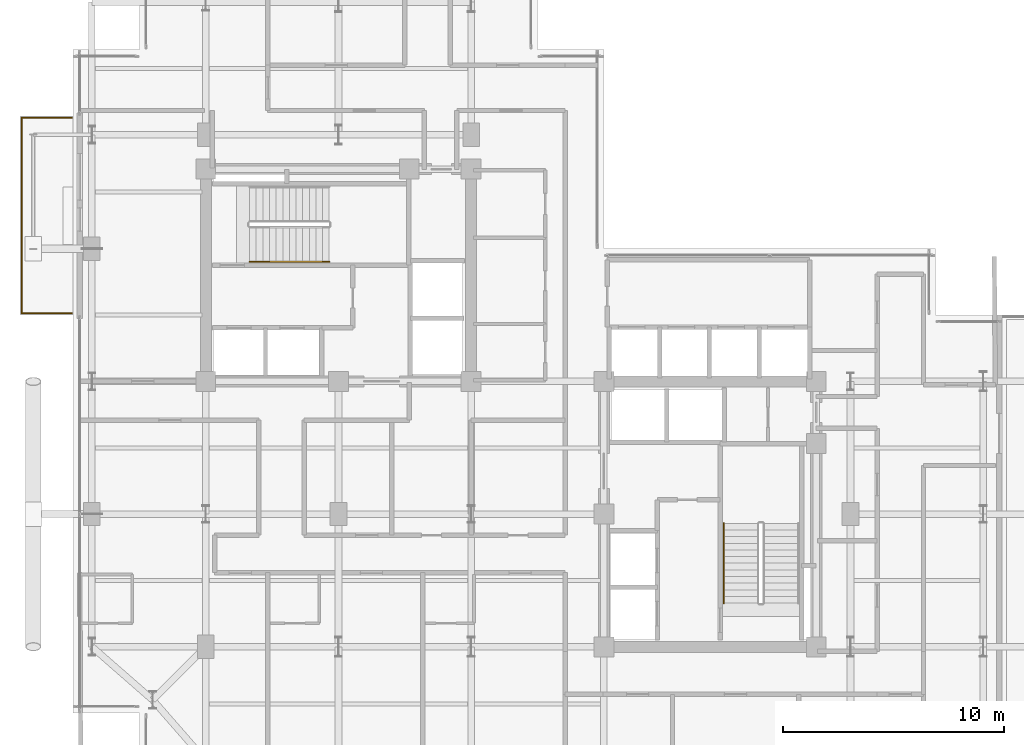
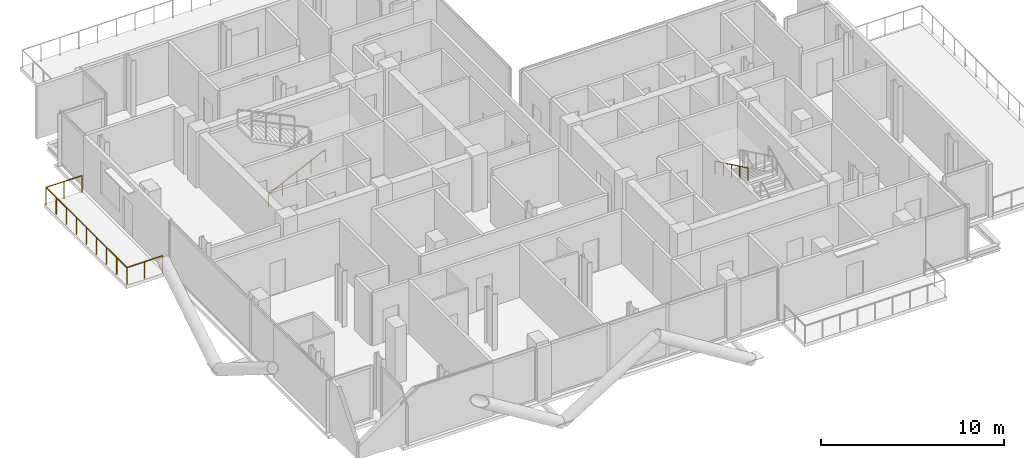
# One storey, part 25 of 28: 3 railings.
"""IFC4 building model written with IfcOpenShell, lengths in metres."""

from ifc_helpers import new_model, si_unit, direction, frame, origin, origin_2d, place, context, subcontext, project, spatial, rectangle, extrude, material, type_object, element, save


model = new_model("IFC4")

# Units and contexts
model_context = context("Model", 3, precision=1e-05, world=origin(), true_north=direction((0.0, 1.0)))
body_context = subcontext(model_context, "Body", "Model", "MODEL_VIEW")
ifc_project = project(units=[si_unit("LENGTHUNIT", "METRE"), si_unit("AREAUNIT", "SQUARE_METRE"), si_unit("VOLUMEUNIT", "CUBIC_METRE"), si_unit("PLANEANGLEUNIT", "RADIAN"), si_unit("MASSUNIT", "GRAM", prefix="KILO"), si_unit("THERMODYNAMICTEMPERATUREUNIT", "KELVIN"), si_unit("POWERUNIT", "WATT")], contexts=[model_context])

# Site, building, storey
site_placement = place(None, origin())
site = spatial("IfcSite", under=ifc_project, at=site_placement, CompositionType="ELEMENT")
building_placement = place(site_placement, origin())
building = spatial("IfcBuilding", under=site, at=building_placement, Name="Svarakhadi Broadcast Tower", CompositionType="ELEMENT")
storey_placement = place(building_placement, frame((0.0, 0.0, 169.199951171875)))
storey = spatial("IfcBuildingStorey", under=building, at=storey_placement, Name="L41", CompositionType="ELEMENT", Elevation=169.199951171875)

# Railings
ifc_material_1 = material(Name="Laminated Structural SentryGlas Balustrade 25.5 mm", Category="glass")
railing_type_1 = type_object("IfcRailingType", Name="Guard_Balcony_GR01", PredefinedType="BALUSTRADE", material=ifc_material_1)
railing_1_placement = place(storey_placement, frame((-0.06005859375, 21.080078125, 0.0)))
element("IfcRailing", 1, at=railing_1_placement, inside=storey, type_object=railing_type_1, Name="L41 West Tree Balcony Guard GR-05", PredefinedType="BALUSTRADE", context=body_context, shape_type="SweptSolid", body=[
    extrude(rectangle(XDim=0.048095703125, YDim=0.048095703125, at=origin_2d()), frame((0.0, 0.0, 1.1259765625), z_axis=(-1.0, 0.0, 0.0), x_axis=(0.0, -1.0, 0.0)), (0.0, 0.0, 1.0), 2.260009765625),
    extrude(rectangle(XDim=0.048095703125, YDim=0.048095703125, at=origin_2d()), frame((-2.260009765625, 0.0, 1.1259765625), z_axis=(0.0, 1.0, 0.0), x_axis=(-1.0, 0.0, 0.0)), (0.0, 0.0, 1.0), 8.83984375),
    extrude(rectangle(XDim=0.048095703125, YDim=0.048095703125, at=origin_2d()), frame((-2.260009765625, 8.83984375, 1.1259765625), z_axis=(1.0, 0.0, 0.0), x_axis=(0.0, 1.0, 0.0)), (0.0, 0.0, 1.0), 2.260009765625),
    extrude(rectangle(XDim=0.0419921875, YDim=0.0419921875, at=origin_2d()), origin(), (0.0, 0.0, 1.0), 1.101806640625),
    extrude(rectangle(XDim=0.0419921875, YDim=0.0419921875, at=origin_2d()), frame((-1.1298828125, 0.0, 0.0)), (0.0, 0.0, 1.0), 1.101806640625),
    extrude(rectangle(XDim=0.0419921875, YDim=0.0419921875, at=origin_2d()), frame((-2.260009765625, 0.0, 0.0)), (0.0, 0.0, 1.0), 1.101806640625),
    extrude(rectangle(XDim=0.0419921875, YDim=0.0419921875, at=origin_2d()), frame((-2.260009765625, 1.10498046875, 0.0)), (0.0, 0.0, 1.0), 1.101806640625),
    extrude(rectangle(XDim=0.0419921875, YDim=0.0419921875, at=origin_2d()), frame((-2.260009765625, 2.2099609375, 0.0)), (0.0, 0.0, 1.0), 1.101806640625),
    extrude(rectangle(XDim=0.0419921875, YDim=0.0419921875, at=origin_2d()), frame((-2.260009765625, 3.31494140625, 0.0)), (0.0, 0.0, 1.0), 1.101806640625),
    extrude(rectangle(XDim=0.0419921875, YDim=0.0419921875, at=origin_2d()), frame((-2.260009765625, 4.419921875, 0.0)), (0.0, 0.0, 1.0), 1.101806640625),
    extrude(rectangle(XDim=0.0419921875, YDim=0.0419921875, at=origin_2d()), frame((-2.260009765625, 5.52490234375, 0.0)), (0.0, 0.0, 1.0), 1.101806640625),
    extrude(rectangle(XDim=0.0419921875, YDim=0.0419921875, at=origin_2d()), frame((-2.260009765625, 6.6298828125, 0.0)), (0.0, 0.0, 1.0), 1.101806640625),
    extrude(rectangle(XDim=0.0419921875, YDim=0.0419921875, at=origin_2d()), frame((-2.260009765625, 7.73486328125, 0.0)), (0.0, 0.0, 1.0), 1.101806640625),
    extrude(rectangle(XDim=0.0419921875, YDim=0.0419921875, at=origin_2d()), frame((-2.260009765625, 8.83984375, 0.0)), (0.0, 0.0, 1.0), 1.101806640625),
    extrude(rectangle(XDim=0.0419921875, YDim=0.0419921875, at=origin_2d()), frame((-1.1298828125, 8.83984375, 0.0)), (0.0, 0.0, 1.0), 1.101806640625),
    extrude(rectangle(XDim=0.0419921875, YDim=0.0419921875, at=origin_2d()), frame((0.0, 8.83984375, 0.0)), (0.0, 0.0, 1.0), 1.101806640625),
])
ifc_material_2 = material(Name="Anodised Bronze Aluminium AA 6063-T6", Category="aluminium")
railing_type_2 = type_object("IfcRailingType", Name="Handrail_Stair_HR01", PredefinedType="HANDRAIL", material=ifc_material_2)
railing_2_placement = place(storey_placement, frame((7.97998046875, 23.409912109375, 0.144287109375)))
element("IfcRailing", 2, at=railing_2_placement, inside=storey, type_object=railing_type_2, Name="L41 ST-01 stair handrail 1", PredefinedType="HANDRAIL", context=body_context, shape_type="SweptSolid", body=[
    extrude(rectangle(XDim=0.048095703125, YDim=0.048095703125, at=origin_2d()), frame((0.0, 0.0, 0.8759765625), z_axis=(0.901262522062, 0.0, 0.433273431364), x_axis=(0.0, 1.0, 0.0)), (0.0, 0.0, 1.0), 3.994384765625),
    extrude(rectangle(XDim=0.0419921875, YDim=0.0419921875, at=origin_2d()), origin(), (0.0, 0.0, 1.0), 0.851806640625),
    extrude(rectangle(XDim=0.0419921875, YDim=0.0419921875, at=origin_2d()), frame((0.89990234375, 0.0, 0.4326171875)), (0.0, 0.0, 1.0), 0.851806640625),
    extrude(rectangle(XDim=0.0419921875, YDim=0.0419921875, at=origin_2d()), frame((1.800048828125, 0.0, 0.865234375)), (0.0, 0.0, 1.0), 0.851806640625),
    extrude(rectangle(XDim=0.0419921875, YDim=0.0419921875, at=origin_2d()), frame((2.7001953125, 0.0, 1.298095703125)), (0.0, 0.0, 1.0), 0.851806640625),
    extrude(rectangle(XDim=0.0419921875, YDim=0.0419921875, at=origin_2d()), frame((3.60009765625, 0.0, 1.730712890625)), (0.0, 0.0, 1.0), 0.851806640625),
])
railing_3_placement = place(storey_placement, frame((29.409912109375, 11.580078125, 2.019287109375)))
element("IfcRailing", 3, at=railing_3_placement, inside=storey, type_object=railing_type_2, Name="L41 ST-02 stair handrail 2", PredefinedType="HANDRAIL", context=body_context, shape_type="SweptSolid", body=[
    extrude(rectangle(XDim=0.048095703125, YDim=0.048095703125, at=origin_2d()), frame((0.0, 0.0, 0.8759765625), z_axis=(0.0, -0.901262522062, 0.433273431364), x_axis=(1.0, 0.0, 0.0)), (0.0, 0.0, 1.0), 3.994384765625),
    extrude(rectangle(XDim=0.0419921875, YDim=0.0419921875, at=origin_2d()), origin(), (0.0, 0.0, 1.0), 0.851806640625),
    extrude(rectangle(XDim=0.0419921875, YDim=0.0419921875, at=origin_2d()), frame((0.0, -0.89990234375, 0.4326171875)), (0.0, 0.0, 1.0), 0.851806640625),
    extrude(rectangle(XDim=0.0419921875, YDim=0.0419921875, at=origin_2d()), frame((0.0, -1.800048828125, 0.865234375)), (0.0, 0.0, 1.0), 0.851806640625),
    extrude(rectangle(XDim=0.0419921875, YDim=0.0419921875, at=origin_2d()), frame((0.0, -2.7001953125, 1.298095703125)), (0.0, 0.0, 1.0), 0.851806640625),
    extrude(rectangle(XDim=0.0419921875, YDim=0.0419921875, at=origin_2d()), frame((0.0, -3.60009765625, 1.730712890625)), (0.0, 0.0, 1.0), 0.851806640625),
])

save(model, "model.ifc")
